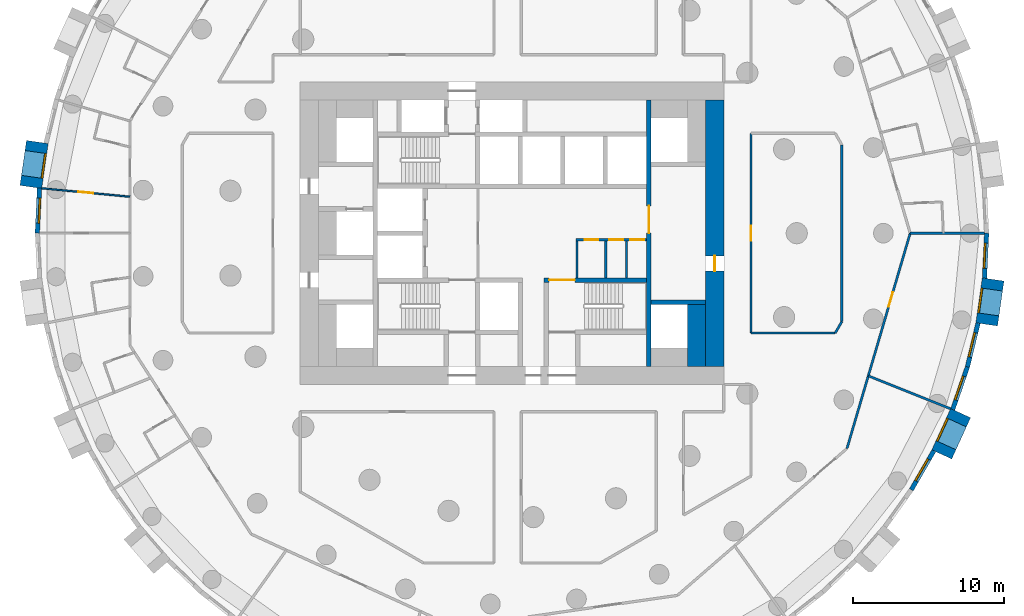
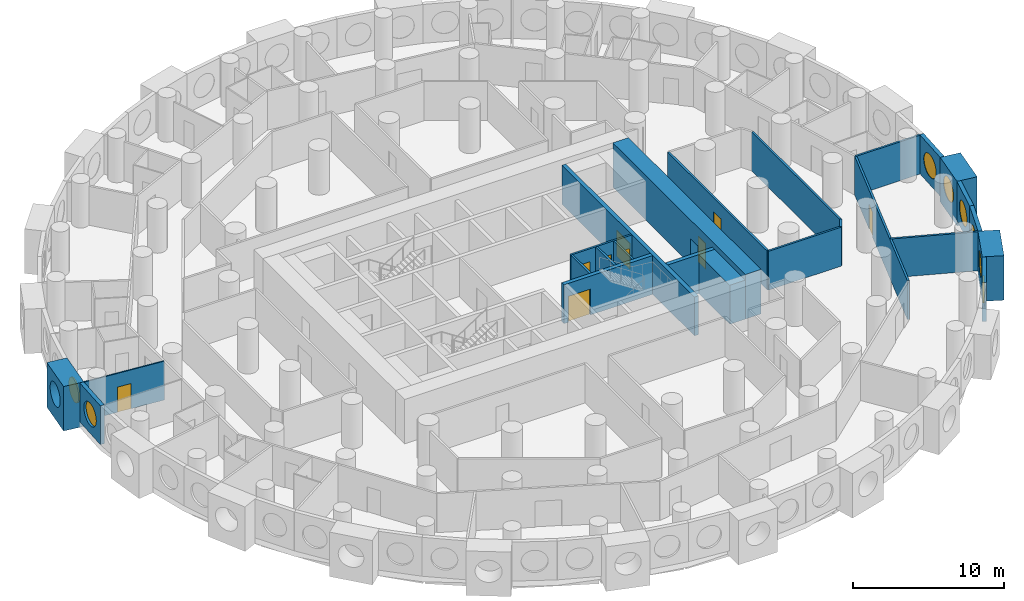
# One storey, part 6 of 12: 25 walls, 9 doors, 8 windows, 17 openings.
"""IFC4 building model written with IfcOpenShell, lengths in metres."""

from ifc_helpers import new_model, si_unit, direction, frame, frame_2d, origin, origin_2d, place, context, subcontext, project, spatial, rectangle, circle, extrude, material, layer, layer_set, type_object, element, fill, save


model = new_model("IFC4")

# Units and contexts
model_context = context("Model", 3, precision=1e-05, world=origin(), true_north=direction((0.0, 1.0)))
body_context = subcontext(model_context, "Body", "Model", "MODEL_VIEW")
ifc_project = project(units=[si_unit("LENGTHUNIT", "METRE"), si_unit("AREAUNIT", "SQUARE_METRE"), si_unit("VOLUMEUNIT", "CUBIC_METRE"), si_unit("PLANEANGLEUNIT", "RADIAN"), si_unit("MASSUNIT", "GRAM", prefix="KILO")], contexts=[model_context])

# Site, building, storey
site_placement = place(None, origin())
site = spatial("IfcSite", under=ifc_project, at=site_placement, CompositionType="ELEMENT")
building_placement = place(site_placement, origin())
building = spatial("IfcBuilding", under=site, at=building_placement, Name="Tracery Tower", CompositionType="ELEMENT")
storey_placement = place(building_placement, frame((0.0, 0.0, 111.0)))
storey = spatial("IfcBuildingStorey", under=building, at=storey_placement, Name="L28", CompositionType="ELEMENT", Elevation=111.0)

# Wall
ifc_material_1 = material(Name="Plasterboard on steel studs", Category="steel")
ifc_layer_1 = layer(ifc_material_1, 0.14990234375)
ifc_layer_set_1 = layer_set([ifc_layer_1], Name="Core room partition 150")
wall_type_1 = type_object("IfcWallType", Name="Core room partition 150", PredefinedType="SOLIDWALL", material=ifc_layer_set_1)
wall_1_placement = place(storey_placement, frame((4.300048828125, -2.949951171875, 0.0), z_axis=(0.0, 0.0, 1.0), x_axis=(0.0, 1.0, 0.0)))
element("IfcWall", 1, at=wall_1_placement, inside=storey, type_object=wall_type_1, Name="L28 slot W", PredefinedType="SOLIDWALL", context=body_context, shape_type="SweptSolid", body=[
    extrude(rectangle(XDim=2.449951171875, YDim=0.14990234375, at=frame_2d((1.22509765625, 0.0))), origin(), (0.0, 0.0, 1.0), 3.14990234375),
])

# Wall, openings, doors
wall_2_placement = place(storey_placement, frame((4.22509765625, -0.425048828125, 0.0), z_axis=(0.0, 0.0, 1.0), x_axis=(1.0, 0.0, 0.0)))
wall_2 = element("IfcWall", 2, at=wall_2_placement, inside=storey, type_object=wall_type_1, Name="L28 slot N", PredefinedType="SOLIDWALL", context=body_context, shape_type="SweptSolid", body=[
    extrude(rectangle(XDim=4.6748046875, YDim=0.14990234375, at=frame_2d((2.33740234375, 0.0))), origin(), (0.0, 0.0, 1.0), 3.14990234375),
])
opening_1_placement = place(wall_2_placement, frame((0.574951171875, 0.0, 0.0)))
opening_1 = element("IfcOpeningElement", 3, at=opening_1_placement, cuts=wall_2, Name="Opening KD22", PredefinedType="OPENING", context=body_context, shape_type="SweptSolid", body=[
    extrude(rectangle(XDim=0.89990234375, YDim=2.10009765625, at=frame_2d((0.449951171875, 1.050048828125))), frame((0.0, 0.074951171875, 0.0), z_axis=(0.0, -1.0, 0.0), x_axis=(1.0, 0.0, 0.0)), (0.0, 0.0, 1.0), 0.14990234375),
])
opening_2_placement = place(wall_2_placement, frame((2.21240234375, 0.0, 0.0)))
opening_2 = element("IfcOpeningElement", 4, at=opening_2_placement, cuts=wall_2, Name="Opening KD31", PredefinedType="OPENING", context=body_context, shape_type="SweptSolid", body=[
    extrude(rectangle(XDim=0.89990234375, YDim=2.10009765625, at=frame_2d((0.449951171875, 1.050048828125))), frame((0.0, 0.074951171875, 0.0), z_axis=(0.0, -1.0, 0.0), x_axis=(1.0, 0.0, 0.0)), (0.0, 0.0, 1.0), 0.14990234375),
])
opening_3_placement = place(wall_2_placement, frame((3.60009765625, 0.0, 0.0)))
opening_3 = element("IfcOpeningElement", 5, at=opening_3_placement, cuts=wall_2, Name="Opening KD27", PredefinedType="OPENING", context=body_context, shape_type="SweptSolid", body=[
    extrude(rectangle(XDim=0.89990234375, YDim=2.10009765625, at=frame_2d((0.449951171875, 1.050048828125))), frame((0.0, 0.074951171875, 0.0), z_axis=(0.0, -1.0, 0.0), x_axis=(1.0, 0.0, 0.0)), (0.0, 0.0, 1.0), 0.14990234375),
])
ifc_material_2 = material(Name="Timber door leaf", Category="wood")
door_type_1 = type_object("IfcDoorType", Name="Core WC door 900", OperationType="NOTDEFINED", PredefinedType="DOOR", material=ifc_material_2)
door_1_placement = place(opening_1_placement, origin())
door_1 = element("IfcDoor", 6, at=door_1_placement, inside=storey, type_object=door_type_1, Name="Core door", OperationType="SINGLE_SWING_RIGHT", OverallHeight=2.10009765625, OverallWidth=0.89990234375, PredefinedType="DOOR", context=body_context, shape_type="SweptSolid", body=[
    extrude(rectangle(XDim=0.89990234375, YDim=2.10009765625, at=frame_2d((0.449951171875, 1.050048828125))), frame((0.0, 0.02490234375, 0.0), z_axis=(0.0, -1.0, 0.0), x_axis=(1.0, 0.0, 0.0)), (0.0, 0.0, 1.0), 0.050048828125),
])
fill(opening_1, door_1)
ifc_material_3 = material(Name="Steel fire door", Category="steel")
door_type_2 = type_object("IfcDoorType", Name="Core riser door 900", OperationType="NOTDEFINED", PredefinedType="DOOR", material=ifc_material_3)
door_2_placement = place(opening_2_placement, origin())
door_2 = element("IfcDoor", 7, at=door_2_placement, inside=storey, type_object=door_type_2, Name="Core door", OperationType="SINGLE_SWING_LEFT", OverallHeight=2.10009765625, OverallWidth=0.89990234375, PredefinedType="DOOR", context=body_context, shape_type="SweptSolid", body=[
    extrude(rectangle(XDim=0.89990234375, YDim=2.10009765625, at=frame_2d((0.449951171875, 1.050048828125))), frame((0.0, 0.02490234375, 0.0), z_axis=(0.0, -1.0, 0.0), x_axis=(1.0, 0.0, 0.0)), (0.0, 0.0, 1.0), 0.050048828125),
])
fill(opening_2, door_2)
ifc_material_4 = material(Name="Timber door leaf", Category="wood")
door_type_3 = type_object("IfcDoorType", Name="Core store door 900", OperationType="NOTDEFINED", PredefinedType="DOOR", material=ifc_material_4)
door_3_placement = place(opening_3_placement, origin())
door_3 = element("IfcDoor", 8, at=door_3_placement, inside=storey, type_object=door_type_3, Name="Core door", OperationType="SINGLE_SWING_RIGHT", OverallHeight=2.10009765625, OverallWidth=0.89990234375, PredefinedType="DOOR", context=body_context, shape_type="SweptSolid", body=[
    extrude(rectangle(XDim=0.89990234375, YDim=2.10009765625, at=frame_2d((0.449951171875, 1.050048828125))), frame((0.0, 0.02490234375, 0.0), z_axis=(0.0, -1.0, 0.0), x_axis=(1.0, 0.0, 0.0)), (0.0, 0.0, 1.0), 0.050048828125),
])
fill(opening_3, door_3)

# Walls
for number, where, z_axis, x_axis, name in (
    (9, (6.199951171875, -2.949951171875, 0.0), (0.0, 0.0, 1.0), (0.0, 1.0, 0.0), "L28 slot sep 1"),
    (10, (7.574951171875, -2.949951171875, 0.0), (0.0, 0.0, 1.0), (0.0, 1.0, 0.0), "L28 slot sep 2"),
):
    element("IfcWall", number, at=place(storey_placement, frame(where, z_axis=z_axis, x_axis=x_axis)), inside=storey, type_object=wall_type_1, Name=name, PredefinedType="SOLIDWALL", context=body_context, shape_type="SweptSolid", body=[
        extrude(rectangle(XDim=2.449951171875, YDim=0.14990234375, at=frame_2d((1.22509765625, 0.0))), origin(), (0.0, 0.0, 1.0), 3.14990234375),
    ])
ifc_material_5 = material(Name="Concrete C60/75", Category="concrete")
ifc_layer_2 = layer(ifc_material_5, 1.199951171875)
ifc_layer_set_2 = layer_set([ifc_layer_2], Name="Core strip wall 1200 C60")
wall_type_2 = type_object("IfcWallType", Name="Core strip wall 1200 C60", PredefinedType="SOLIDWALL", material=ifc_layer_set_2)
wall_3_placement = place(storey_placement, frame((12.199951171875, -8.800048828125, 0.0), z_axis=(0.0, 0.0, 1.0), x_axis=(0.0, 1.0, 0.0)))
element("IfcWall", 11, at=wall_3_placement, inside=storey, type_object=wall_type_2, Name="L28 wing strip +1 -9.4", PredefinedType="SOLIDWALL", context=body_context, shape_type="SweptSolid", body=[
    extrude(rectangle(XDim=4.10009765625, YDim=1.199951171875, at=frame_2d((2.050048828125, 0.0))), origin(), (0.0, 0.0, 1.0), 3.14990234375),
])

# Wall, opening, door
ifc_material_6 = material(Name="Concrete C60/75", Category="concrete")
ifc_layer_3 = layer(ifc_material_6, 1.199951171875)
ifc_layer_set_3 = layer_set([ifc_layer_3], Name="Core wall 1200 C60")
wall_type_3 = type_object("IfcWallType", Name="Core wall 1200 C60", PredefinedType="SOLIDWALL", material=ifc_layer_set_3)
wall_4_placement = place(storey_placement, frame((13.39990234375, -8.800048828125, 0.0), z_axis=(0.0, 0.0, 1.0), x_axis=(0.0, 1.0, 0.0)))
wall_4 = element("IfcWall", 12, at=wall_4_placement, inside=storey, type_object=wall_type_3, Name="L28 outer E", PredefinedType="SOLIDWALL", context=body_context, shape_type="SweptSolid", body=[
    extrude(rectangle(XDim=17.60009765625, YDim=1.199951171875, at=frame_2d((8.800048828125, 0.0))), origin(), (0.0, 0.0, 1.0), 3.60009765625),
])
opening_4_placement = place(wall_4_placement, frame((6.300048828125, 0.0, 0.0)))
opening_4 = element("IfcOpeningElement", 13, at=opening_4_placement, cuts=wall_4, Name="Opening KD18", PredefinedType="OPENING", context=body_context, shape_type="SweptSolid", body=[
    extrude(rectangle(XDim=1.0, YDim=2.10009765625, at=frame_2d((0.5, 1.050048828125))), frame((0.0, 0.60009765625, 0.0), z_axis=(0.0, -1.0, 0.0), x_axis=(1.0, 0.0, 0.0)), (0.0, 0.0, 1.0), 1.199951171875),
])
ifc_material_7 = material(Name="Steel fire door", Category="steel")
door_type_4 = type_object("IfcDoorType", Name="Core exit door 1000", OperationType="NOTDEFINED", PredefinedType="DOOR", material=ifc_material_7)
door_4_placement = place(opening_4_placement, origin())
door_4 = element("IfcDoor", 14, at=door_4_placement, inside=storey, type_object=door_type_4, Name="Core exit door", OperationType="DOUBLE_DOOR_SINGLE_SWING", OverallHeight=2.10009765625, OverallWidth=1.0, PredefinedType="DOOR", context=body_context, shape_type="SweptSolid", body=[
    extrude(rectangle(XDim=1.0, YDim=2.10009765625, at=frame_2d((0.5, 1.050048828125))), frame((0.0, 0.02490234375, 0.0), z_axis=(0.0, -1.0, 0.0), x_axis=(1.0, 0.0, 0.0)), (0.0, 0.0, 1.0), 0.050048828125),
])
fill(opening_4, door_4)

# Wall, opening, window
ifc_material_8 = material(Name="Precast concrete C50/60", Category="concrete")
ifc_layer_4 = layer(ifc_material_8, 1.449951171875)
ifc_layer_set_4 = layer_set([ifc_layer_4], Name="Deep-set bay unit 3000 x 3600, slab edge 450")
wall_type_4 = type_object("IfcWallType", Name="Deep-set bay unit 3000 x 3600, slab edge 450", PredefinedType="ELEMENTEDWALL", material=ifc_layer_set_4)
wall_5_placement = place(storey_placement, frame((-31.37548828125, 6.026611328125, -0.449951171875), z_axis=(0.0, 0.0, 1.0), x_axis=(-0.142332746704, -0.989818866872, 0.0)))
wall_5 = element("IfcWall", 15, at=wall_5_placement, inside=storey, type_object=wall_type_4, Name="Deep-set bay unit 32 at L28", PredefinedType="ELEMENTEDWALL", context=body_context, shape_type="SweptSolid", body=[
    extrude(rectangle(XDim=3.0, YDim=1.449951171875, at=frame_2d((1.5, 0.0))), origin(), (0.0, 0.0, 1.0), 3.599853515625),
])
opening_5_placement = place(wall_5_placement, frame((1.5, 0.0, 2.0)))
opening_5 = element("IfcOpeningElement", 16, at=opening_5_placement, cuts=wall_5, Name="Opening WN1", PredefinedType="OPENING", context=body_context, shape_type="SweptSolid", body=[
    extrude(circle(Radius=0.9000244140625, at=origin_2d()), frame((0.0, 0.73486328125, 0.0), z_axis=(0.0, -1.0, 0.0), x_axis=(1.0, 0.0, 0.0)), (0.0, 0.0, 1.0), 1.469970703125),
])
ifc_material_9 = material(Name="Aluminium frame with tinted double glazing", Category="aluminium")
window_type = type_object("IfcWindowType", Name="Round window 1800", PartitioningType="SINGLE_PANEL", PredefinedType="WINDOW", material=ifc_material_9)
window_1_placement = place(opening_5_placement, origin())
window_1 = element("IfcWindow", 17, at=window_1_placement, inside=storey, type_object=window_type, Name="Round window 32 at L28", OverallHeight=1.800048828125, OverallWidth=1.800048828125, PartitioningType="SINGLE_PANEL", PredefinedType="WINDOW", context=body_context, shape_type="SweptSolid", body=[
    extrude(circle(Radius=0.9000244140625, at=origin_2d()), frame((0.0, 0.69482421875, 0.0), z_axis=(0.0, -1.0, 0.0), x_axis=(1.0, 0.0, 0.0)), (0.0, 0.0, 1.0), 0.10009765625),
])
fill(opening_5, window_1)

wall_6_placement = place(storey_placement, frame((28.40673828125, -14.6220703125, -0.449951171875), z_axis=(0.0, 0.0, 1.0), x_axis=(0.415427028395, 0.909626508012, 0.0)))
wall_6 = element("IfcWall", 18, at=wall_6_placement, inside=storey, type_object=wall_type_4, Name="Deep-set bay unit 62 at L28", PredefinedType="ELEMENTEDWALL", context=body_context, shape_type="SweptSolid", body=[
    extrude(rectangle(XDim=3.000244140625, YDim=1.449951171875, at=frame_2d((1.5, 0.0))), origin(), (0.0, 0.0, 1.0), 3.599853515625),
])
opening_6_placement = place(wall_6_placement, frame((1.5, 0.0, 2.0)))
opening_6 = element("IfcOpeningElement", 19, at=opening_6_placement, cuts=wall_6, Name="Opening WN1", PredefinedType="OPENING", context=body_context, shape_type="SweptSolid", body=[
    extrude(circle(Radius=0.9000244140625, at=origin_2d()), frame((0.0, 0.73486328125, 0.0), z_axis=(0.0, -1.0, 0.0), x_axis=(1.0, 0.0, 0.0)), (0.0, 0.0, 1.0), 1.469970703125),
])
window_2_placement = place(opening_6_placement, origin())
window_2 = element("IfcWindow", 20, at=window_2_placement, inside=storey, type_object=window_type, Name="Round window 62 at L28", OverallHeight=1.800048828125, OverallWidth=1.800048828125, PartitioningType="SINGLE_PANEL", PredefinedType="WINDOW", context=body_context, shape_type="SweptSolid", body=[
    extrude(circle(Radius=0.9000244140625, at=origin_2d()), frame((0.0, 0.69482421875, 0.0), z_axis=(0.0, -1.0, 0.0), x_axis=(1.0, 0.0, 0.0)), (0.0, 0.0, 1.0), 0.10009765625),
])
fill(opening_6, window_2)

wall_7_placement = place(storey_placement, frame((31.37548828125, -6.026611328125, -0.449951171875), z_axis=(0.0, 0.0, 1.0), x_axis=(0.142332746704, 0.989818866872, 0.0)))
wall_7 = element("IfcWall", 21, at=wall_7_placement, inside=storey, type_object=wall_type_4, Name="Deep-set bay unit 65 at L28", PredefinedType="ELEMENTEDWALL", context=body_context, shape_type="SweptSolid", body=[
    extrude(rectangle(XDim=3.0, YDim=1.449951171875, at=frame_2d((1.5, 0.0))), origin(), (0.0, 0.0, 1.0), 3.599853515625),
])
opening_7_placement = place(wall_7_placement, frame((1.5, 0.0, 2.0)))
opening_7 = element("IfcOpeningElement", 22, at=opening_7_placement, cuts=wall_7, Name="Opening WN1", PredefinedType="OPENING", context=body_context, shape_type="SweptSolid", body=[
    extrude(circle(Radius=0.9000244140625, at=origin_2d()), frame((0.0, 0.73486328125, 0.0), z_axis=(0.0, -1.0, 0.0), x_axis=(1.0, 0.0, 0.0)), (0.0, 0.0, 1.0), 1.469970703125),
])
window_3_placement = place(opening_7_placement, origin())
window_3 = element("IfcWindow", 23, at=window_3_placement, inside=storey, type_object=window_type, Name="Round window 65 at L28", OverallHeight=1.800048828125, OverallWidth=1.800048828125, PartitioningType="SINGLE_PANEL", PredefinedType="WINDOW", context=body_context, shape_type="SweptSolid", body=[
    extrude(circle(Radius=0.9000244140625, at=origin_2d()), frame((0.0, 0.69482421875, 0.0), z_axis=(0.0, -1.0, 0.0), x_axis=(1.0, 0.0, 0.0)), (0.0, 0.0, 1.0), 0.10009765625),
])
fill(opening_7, window_3)

ifc_material_10 = material(Name="Precast concrete C50/60", Category="concrete")
ifc_layer_5 = layer(ifc_material_10, 0.300048828125)
ifc_layer_set_5 = layer_set([ifc_layer_5], Name="Facade panel 3000 x 3150")
wall_type_5 = type_object("IfcWallType", Name="Facade panel 3000 x 3150", PredefinedType="SOLIDWALL", material=ifc_layer_set_5)
wall_8_placement = place(storey_placement, frame((-31.232666015625, 2.976318359375, 0.0), z_axis=(0.0, 0.0, 1.0), x_axis=(-0.047604077644, -0.998866283239, 0.0)))
wall_8 = element("IfcWall", 24, at=wall_8_placement, inside=storey, type_object=wall_type_5, Name="Facade panel 33 at L28", PredefinedType="SOLIDWALL", context=body_context, shape_type="SweptSolid", body=[
    extrude(rectangle(XDim=2.979736328125, YDim=0.300048828125, at=frame_2d((1.48974609375, 0.0))), origin(), (0.0, 0.0, 1.0), 3.14990234375),
])
opening_8_placement = place(wall_8_placement, frame((1.48974609375, 0.0, 1.5498046875)))
opening_8 = element("IfcOpeningElement", 25, at=opening_8_placement, cuts=wall_8, Name="Opening WN1", PredefinedType="OPENING", context=body_context, shape_type="SweptSolid", body=[
    extrude(circle(Radius=0.9000244140625, at=origin_2d()), frame((0.0, 0.159912109375, 0.0), z_axis=(0.0, -1.0, 0.0), x_axis=(1.0, 0.0, 0.0)), (0.0, 0.0, 1.0), 0.320068359375),
])
window_4_placement = place(opening_8_placement, origin())
window_4 = element("IfcWindow", 26, at=window_4_placement, inside=storey, type_object=window_type, Name="Round window 33 at L28", OverallHeight=1.800048828125, OverallWidth=1.800048828125, PartitioningType="SINGLE_PANEL", PredefinedType="WINDOW", context=body_context, shape_type="SweptSolid", body=[
    extrude(circle(Radius=0.9000244140625, at=origin_2d()), frame((0.0, 0.1201171875, 0.0), z_axis=(0.0, -1.0, 0.0), x_axis=(1.0, 0.0, 0.0)), (0.0, 0.0, 1.0), 0.10009765625),
])
fill(opening_8, window_4)

wall_9_placement = place(storey_placement, frame((26.393798828125, -16.96240234375, 0.0), z_axis=(0.0, 0.0, 1.0), x_axis=(0.500025049464, 0.866010940986, 0.0)))
wall_9 = element("IfcWall", 27, at=wall_9_placement, inside=storey, type_object=wall_type_5, Name="Facade panel 61 at L28", PredefinedType="SOLIDWALL", context=body_context, shape_type="SweptSolid", body=[
    extrude(rectangle(XDim=2.979736328125, YDim=0.300048828125, at=frame_2d((1.48974609375, 0.0))), origin(), (0.0, 0.0, 1.0), 3.14990234375),
])
opening_9_placement = place(wall_9_placement, frame((1.48974609375, 0.0, 1.5498046875)))
opening_9 = element("IfcOpeningElement", 28, at=opening_9_placement, cuts=wall_9, Name="Opening WN1", PredefinedType="OPENING", context=body_context, shape_type="SweptSolid", body=[
    extrude(circle(Radius=0.9000244140625, at=origin_2d()), frame((0.0, 0.159912109375, 0.0), z_axis=(0.0, -1.0, 0.0), x_axis=(1.0, 0.0, 0.0)), (0.0, 0.0, 1.0), 0.320068359375),
])
window_5_placement = place(opening_9_placement, origin())
window_5 = element("IfcWindow", 29, at=window_5_placement, inside=storey, type_object=window_type, Name="Round window 61 at L28", OverallHeight=1.800048828125, OverallWidth=1.800048828125, PartitioningType="SINGLE_PANEL", PredefinedType="WINDOW", context=body_context, shape_type="SweptSolid", body=[
    extrude(circle(Radius=0.9000244140625, at=origin_2d()), frame((0.0, 0.1201171875, 0.0), z_axis=(0.0, -1.0, 0.0), x_axis=(1.0, 0.0, 0.0)), (0.0, 0.0, 1.0), 0.10009765625),
])
fill(opening_9, window_5)

wall_10_placement = place(storey_placement, frame((29.12890625, -11.655029296875, 0.0), z_axis=(0.0, 0.0, 1.0), x_axis=(0.327071167136, 0.944999709856, 0.0)))
wall_10 = element("IfcWall", 30, at=wall_10_placement, inside=storey, type_object=wall_type_5, Name="Facade panel 63 at L28", PredefinedType="SOLIDWALL", context=body_context, shape_type="SweptSolid", body=[
    extrude(rectangle(XDim=2.979736328125, YDim=0.300048828125, at=frame_2d((1.48974609375, 0.0))), origin(), (0.0, 0.0, 1.0), 3.14990234375),
])
opening_10_placement = place(wall_10_placement, frame((1.48974609375, 0.0, 1.5498046875)))
opening_10 = element("IfcOpeningElement", 31, at=opening_10_placement, cuts=wall_10, Name="Opening WN1", PredefinedType="OPENING", context=body_context, shape_type="SweptSolid", body=[
    extrude(circle(Radius=0.9000244140625, at=origin_2d()), frame((0.0, 0.159912109375, 0.0), z_axis=(0.0, -1.0, 0.0), x_axis=(1.0, 0.0, 0.0)), (0.0, 0.0, 1.0), 0.320068359375),
])
window_6_placement = place(opening_10_placement, origin())
window_6 = element("IfcWindow", 32, at=window_6_placement, inside=storey, type_object=window_type, Name="Round window 63 at L28", OverallHeight=1.800048828125, OverallWidth=1.800048828125, PartitioningType="SINGLE_PANEL", PredefinedType="WINDOW", context=body_context, shape_type="SweptSolid", body=[
    extrude(circle(Radius=0.9000244140625, at=origin_2d()), frame((0.0, 0.1201171875, 0.0), z_axis=(0.0, -1.0, 0.0), x_axis=(1.0, 0.0, 0.0)), (0.0, 0.0, 1.0), 0.10009765625),
])
fill(opening_10, window_6)

wall_11_placement = place(storey_placement, frame((30.103515625, -8.839111328125, 0.0), z_axis=(0.0, 0.0, 1.0), x_axis=(0.235743081534, 0.971815414319, 0.0)))
wall_11 = element("IfcWall", 33, at=wall_11_placement, inside=storey, type_object=wall_type_5, Name="Facade panel 64 at L28", PredefinedType="SOLIDWALL", context=body_context, shape_type="SweptSolid", body=[
    extrude(rectangle(XDim=2.9794921875, YDim=0.300048828125, at=frame_2d((1.48974609375, 0.0))), origin(), (0.0, 0.0, 1.0), 3.14990234375),
])
opening_11_placement = place(wall_11_placement, frame((1.48974609375, 0.0, 1.5498046875)))
opening_11 = element("IfcOpeningElement", 34, at=opening_11_placement, cuts=wall_11, Name="Opening WN1", PredefinedType="OPENING", context=body_context, shape_type="SweptSolid", body=[
    extrude(circle(Radius=0.9000244140625, at=origin_2d()), frame((0.0, 0.159912109375, 0.0), z_axis=(0.0, -1.0, 0.0), x_axis=(1.0, 0.0, 0.0)), (0.0, 0.0, 1.0), 0.320068359375),
])
window_7_placement = place(opening_11_placement, origin())
window_7 = element("IfcWindow", 35, at=window_7_placement, inside=storey, type_object=window_type, Name="Round window 64 at L28", OverallHeight=1.800048828125, OverallWidth=1.800048828125, PartitioningType="SINGLE_PANEL", PredefinedType="WINDOW", context=body_context, shape_type="SweptSolid", body=[
    extrude(circle(Radius=0.9000244140625, at=origin_2d()), frame((0.0, 0.1201171875, 0.0), z_axis=(0.0, -1.0, 0.0), x_axis=(1.0, 0.0, 0.0)), (0.0, 0.0, 1.0), 0.10009765625),
])
fill(opening_11, window_7)

wall_12_placement = place(storey_placement, frame((31.232666015625, -2.976318359375, 0.0), z_axis=(0.0, 0.0, 1.0), x_axis=(0.047604077644, 0.998866283239, 0.0)))
wall_12 = element("IfcWall", 36, at=wall_12_placement, inside=storey, type_object=wall_type_5, Name="Facade panel 66 at L28", PredefinedType="SOLIDWALL", context=body_context, shape_type="SweptSolid", body=[
    extrude(rectangle(XDim=2.979736328125, YDim=0.300048828125, at=frame_2d((1.48974609375, 0.0))), origin(), (0.0, 0.0, 1.0), 3.14990234375),
])
opening_12_placement = place(wall_12_placement, frame((1.48974609375, 0.0, 1.5498046875)))
opening_12 = element("IfcOpeningElement", 37, at=opening_12_placement, cuts=wall_12, Name="Opening WN1", PredefinedType="OPENING", context=body_context, shape_type="SweptSolid", body=[
    extrude(circle(Radius=0.9000244140625, at=origin_2d()), frame((0.0, 0.159912109375, 0.0), z_axis=(0.0, -1.0, 0.0), x_axis=(1.0, 0.0, 0.0)), (0.0, 0.0, 1.0), 0.320068359375),
])
window_8_placement = place(opening_12_placement, origin())
window_8 = element("IfcWindow", 38, at=window_8_placement, inside=storey, type_object=window_type, Name="Round window 66 at L28", OverallHeight=1.800048828125, OverallWidth=1.800048828125, PartitioningType="SINGLE_PANEL", PredefinedType="WINDOW", context=body_context, shape_type="SweptSolid", body=[
    extrude(circle(Radius=0.9000244140625, at=origin_2d()), frame((0.0, 0.1201171875, 0.0), z_axis=(0.0, -1.0, 0.0), x_axis=(1.0, 0.0, 0.0)), (0.0, 0.0, 1.0), 0.10009765625),
])
fill(opening_12, window_8)

# Wall, opening, door
ifc_material_11 = material(Name="Plasterboard on steel studs", Category="steel")
ifc_layer_6 = layer(ifc_material_11, 0.10009765625)
ifc_layer_set_6 = layer_set([ifc_layer_6], Name="Partition 100 stud")
wall_type_6 = type_object("IfcWallType", Name="Partition 100 stud", PredefinedType="PARTITIONING", material=ifc_layer_set_6)
wall_13_placement = place(storey_placement, frame((-31.0830078125, 2.968017578125, 0.0), z_axis=(0.0, 0.0, 1.0), x_axis=(0.995465070325, -0.095127775983, 0.0)))
wall_13 = element("IfcWall", 39, at=wall_13_placement, inside=storey, type_object=wall_type_6, Name="Stud partition RA8-095", PredefinedType="PARTITIONING", context=body_context, shape_type="SweptSolid", body=[
    extrude(rectangle(XDim=5.856689453125, YDim=0.10009765625, at=frame_2d((2.92822265625, 0.0))), origin(), (0.0, 0.0, 1.0), 3.14990234375),
])
opening_13_placement = place(wall_13_placement, frame((2.428466796875, 0.0, 0.0)))
opening_13 = element("IfcOpeningElement", 40, at=opening_13_placement, cuts=wall_13, Name="Opening RA8-34", PredefinedType="OPENING", context=body_context, shape_type="SweptSolid", body=[
    extrude(rectangle(XDim=1.0, YDim=2.0400390625, at=frame_2d((0.5, 1.02001953125))), frame((0.0, 0.050048828125, 0.0), z_axis=(0.0, -1.0, 0.0), x_axis=(1.0, 0.0, 0.0)), (0.0, 0.0, 1.0), 0.10009765625),
])
ifc_material_12 = material(Name="Timber door leaf", Category="wood")
door_type_5 = type_object("IfcDoorType", Name="Door communal room 1000", OperationType="NOTDEFINED", PredefinedType="DOOR", material=ifc_material_12)
door_5_placement = place(opening_13_placement, origin())
door_5 = element("IfcDoor", 41, at=door_5_placement, inside=storey, type_object=door_type_5, Name="Communal room door RA8-34", OperationType="SINGLE_SWING_LEFT", OverallHeight=2.0400390625, OverallWidth=1.0, PredefinedType="DOOR", context=body_context, shape_type="SweptSolid", body=[
    extrude(rectangle(XDim=1.0, YDim=2.0400390625, at=frame_2d((0.5, 1.02001953125))), frame((0.0, 0.02490234375, 0.0), z_axis=(0.0, -1.0, 0.0), x_axis=(1.0, 0.0, 0.0)), (0.0, 0.0, 1.0), 0.050048828125),
])
fill(opening_13, door_5)

# Walls
ifc_material_13 = material(Name="Plasterboard on steel studs", Category="steel")
ifc_layer_7 = layer(ifc_material_13, 0.14990234375)
ifc_layer_set_7 = layer_set([ifc_layer_7], Name="Partition 150 acoustic unit wall")
wall_type_7 = type_object("IfcWallType", Name="Partition 150 acoustic unit wall", PredefinedType="PARTITIONING", material=ifc_layer_set_7)
wall_14_placement = place(storey_placement, frame((26.319091796875, 0.0, 0.0), z_axis=(0.0, 0.0, 1.0), x_axis=(1.0, 0.0, 0.0)))
element("IfcWall", 42, at=wall_14_placement, inside=storey, type_object=wall_type_7, Name="Unit wall RA8-063", PredefinedType="PARTITIONING", context=body_context, shape_type="SweptSolid", body=[
    extrude(rectangle(XDim=4.905029296875, YDim=0.14990234375, at=frame_2d((2.45263671875, 0.0))), origin(), (0.0, 0.0, 1.0), 3.14990234375),
])
wall_15_placement = place(storey_placement, frame((23.550048828125, -9.427978515625, 0.0), z_axis=(0.0, 0.0, 1.0), x_axis=(0.9283702981, -0.371656547911, 0.0)))
element("IfcWall", 43, at=wall_15_placement, inside=storey, type_object=wall_type_7, Name="Unit wall RA8-116", PredefinedType="PARTITIONING", context=body_context, shape_type="SweptSolid", body=[
    extrude(rectangle(XDim=5.857666015625, YDim=0.14990234375, at=frame_2d((2.9287109375, 0.0))), origin(), (0.0, 0.0, 1.0), 3.14990234375),
])

# Wall, opening, door
ifc_material_14 = material(Name="Plasterboard on steel studs", Category="steel")
ifc_layer_8 = layer(ifc_material_14, 0.14990234375)
ifc_layer_set_8 = layer_set([ifc_layer_8], Name="Partition 150 corridor wall")
wall_type_8 = type_object("IfcWallType", Name="Partition 150 corridor wall", PredefinedType="PARTITIONING", material=ifc_layer_set_8)
wall_16_placement = place(storey_placement, frame((15.800048828125, -6.60400390625, 0.0), z_axis=(0.0, 0.0, 1.0), x_axis=(0.0, 1.0, 0.0)))
wall_16 = element("IfcWall", 44, at=wall_16_placement, inside=storey, type_object=wall_type_8, Name="Corridor wall RA8-012", PredefinedType="PARTITIONING", context=body_context, shape_type="SweptSolid", body=[
    extrude(rectangle(XDim=13.2080078125, YDim=0.14990234375, at=frame_2d((6.60400390625, 0.0))), origin(), (0.0, 0.0, 1.0), 3.14990234375),
])
opening_14_placement = place(wall_16_placement, frame((6.10400390625, 0.0, 0.0)))
opening_14 = element("IfcOpeningElement", 45, at=opening_14_placement, cuts=wall_16, Name="Opening RA8-07", PredefinedType="OPENING", context=body_context, shape_type="SweptSolid", body=[
    extrude(rectangle(XDim=1.0, YDim=2.0400390625, at=frame_2d((0.5, 1.02001953125))), frame((0.0, 0.074951171875, 0.0), z_axis=(0.0, -1.0, 0.0), x_axis=(1.0, 0.0, 0.0)), (0.0, 0.0, 1.0), 0.14990234375),
])
door_6_placement = place(opening_14_placement, origin())
door_6 = element("IfcDoor", 46, at=door_6_placement, inside=storey, type_object=door_type_5, Name="Communal room door RA8-07", OperationType="SINGLE_SWING_RIGHT", OverallHeight=2.0400390625, OverallWidth=1.0, PredefinedType="DOOR", context=body_context, shape_type="SweptSolid", body=[
    extrude(rectangle(XDim=1.0, YDim=2.0400390625, at=frame_2d((0.5, 1.02001953125))), frame((0.0, 0.02490234375, 0.0), z_axis=(0.0, -1.0, 0.0), x_axis=(1.0, 0.0, 0.0)), (0.0, 0.0, 1.0), 0.050048828125),
])
fill(opening_14, door_6)

# Walls
wall_17_placement = place(storey_placement, frame((15.800048828125, -6.60009765625, 0.0), z_axis=(0.0, 0.0, 1.0), x_axis=(1.0, 0.0, 0.0)))
element("IfcWall", 47, at=wall_17_placement, inside=storey, type_object=wall_type_8, Name="Corridor wall RA8-016", PredefinedType="PARTITIONING", context=body_context, shape_type="SweptSolid", body=[
    extrude(rectangle(XDim=5.56396484375, YDim=0.14990234375, at=frame_2d((2.781982421875, 0.0))), origin(), (0.0, 0.0, 1.0), 3.14990234375),
])
wall_18_placement = place(storey_placement, frame((21.364013671875, -6.60009765625, 0.0), z_axis=(0.0, 0.0, 1.0), x_axis=(0.500277597875, 0.865865073245, 0.0)))
element("IfcWall", 48, at=wall_18_placement, inside=storey, type_object=wall_type_8, Name="Corridor wall RA8-017", PredefinedType="PARTITIONING", context=body_context, shape_type="SweptSolid", body=[
    extrude(rectangle(XDim=0.87548828125, YDim=0.14990234375, at=frame_2d((0.437744140625, 0.0))), origin(), (0.0, 0.0, 1.0), 3.14990234375),
])
wall_19_placement = place(storey_placement, frame((21.802001953125, -5.842041015625, 0.0), z_axis=(0.0, 0.0, 1.0), x_axis=(0.0, 1.0, 0.0)))
element("IfcWall", 49, at=wall_19_placement, inside=storey, type_object=wall_type_8, Name="Corridor wall RA8-018", PredefinedType="PARTITIONING", context=body_context, shape_type="SweptSolid", body=[
    extrude(rectangle(XDim=11.68408203125, YDim=0.14990234375, at=frame_2d((5.842041015625, 0.0))), origin(), (0.0, 0.0, 1.0), 3.14990234375),
])

# Wall, opening, door
wall_20_placement = place(storey_placement, frame((22.14111328125, -14.22900390625, 0.0), z_axis=(0.0, 0.0, 1.0), x_axis=(0.281745602308, 0.959489143024, 0.0)))
wall_20 = element("IfcWall", 50, at=wall_20_placement, inside=storey, type_object=wall_type_8, Name="Corridor wall RA8-023", PredefinedType="PARTITIONING", context=body_context, shape_type="SweptSolid", body=[
    extrude(rectangle(XDim=14.829833984375, YDim=0.14990234375, at=frame_2d((7.4150390625, 0.0))), origin(), (0.0, 0.0, 1.0), 3.14990234375),
])
opening_15_placement = place(wall_20_placement, frame((9.7646484375, 0.0, 0.0)))
opening_15 = element("IfcOpeningElement", 51, at=opening_15_placement, cuts=wall_20, Name="Opening RA8-49", PredefinedType="OPENING", context=body_context, shape_type="SweptSolid", body=[
    extrude(rectangle(XDim=1.0, YDim=2.0400390625, at=frame_2d((0.5, 1.02001953125))), frame((0.0, 0.074951171875, 0.0), z_axis=(0.0, -1.0, 0.0), x_axis=(1.0, 0.0, 0.0)), (0.0, 0.0, 1.0), 0.14990234375),
])
door_7_placement = place(opening_15_placement, origin())
door_7 = element("IfcDoor", 52, at=door_7_placement, inside=storey, type_object=door_type_5, Name="Communal room door RA8-49", OperationType="SINGLE_SWING_LEFT", OverallHeight=2.0400390625, OverallWidth=1.0, PredefinedType="DOOR", context=body_context, shape_type="SweptSolid", body=[
    extrude(rectangle(XDim=1.0, YDim=2.0400390625, at=frame_2d((0.5, 1.02001953125))), frame((0.0, 0.02490234375, 0.0), z_axis=(0.0, -1.0, 0.0), x_axis=(1.0, 0.0, 0.0)), (0.0, 0.0, 1.0), 0.050048828125),
])
fill(opening_15, door_7)

# Wall
ifc_material_15 = material(Name="Concrete C60/75", Category="concrete")
ifc_layer_9 = layer(ifc_material_15, 0.300048828125)
ifc_layer_set_9 = layer_set([ifc_layer_9], Name="Shaft wall 300 C60")
wall_type_9 = type_object("IfcWallType", Name="Shaft wall 300 C60", PredefinedType="SOLIDWALL", material=ifc_layer_set_9)
wall_21_placement = place(storey_placement, frame((9.199951171875, -4.550048828125, 0.0), z_axis=(0.0, 0.0, 1.0), x_axis=(1.0, 0.0, 0.0)))
element("IfcWall", 53, at=wall_21_placement, inside=storey, type_object=wall_type_9, Name="L28 wing shaft wall +1 -4.55", PredefinedType="SOLIDWALL", context=body_context, shape_type="SweptSolid", body=[
    extrude(rectangle(XDim=3.60009765625, YDim=0.300048828125, at=frame_2d((1.800048828125, 0.0))), origin(), (0.0, 0.0, 1.0), 3.14990234375),
])

# Wall, opening, door
ifc_material_16 = material(Name="Concrete C60/75", Category="concrete")
ifc_layer_10 = layer(ifc_material_16, 0.300048828125)
ifc_layer_set_10 = layer_set([ifc_layer_10], Name="Stair wall 300 C60")
wall_type_10 = type_object("IfcWallType", Name="Stair wall 300 C60", PredefinedType="SOLIDWALL", material=ifc_layer_set_10)
wall_22_placement = place(storey_placement, frame((2.10009765625, -3.10009765625, 0.0), z_axis=(0.0, 0.0, 1.0), x_axis=(1.0, 0.0, 0.0)))
wall_22 = element("IfcWall", 54, at=wall_22_placement, inside=storey, type_object=wall_type_10, Name="L28 row S E", PredefinedType="SOLIDWALL", context=body_context, shape_type="SweptSolid", body=[
    extrude(rectangle(XDim=6.7998046875, YDim=0.300048828125, at=frame_2d((3.39990234375, 0.0))), origin(), (0.0, 0.0, 1.0), 3.14990234375),
])
opening_16_placement = place(wall_22_placement, frame((0.35009765625, 0.0, 0.0)))
opening_16 = element("IfcOpeningElement", 55, at=opening_16_placement, cuts=wall_22, Name="Opening KD3", PredefinedType="OPENING", context=body_context, shape_type="SweptSolid", body=[
    extrude(rectangle(XDim=1.699951171875, YDim=2.10009765625, at=frame_2d((0.85009765625, 1.050048828125))), frame((0.0, 0.14990234375, 0.0), z_axis=(0.0, -1.0, 0.0), x_axis=(1.0, 0.0, 0.0)), (0.0, 0.0, 1.0), 0.300048828125),
])
ifc_material_17 = material(Name="Steel fire door", Category="steel")
door_type_6 = type_object("IfcDoorType", Name="Core stair door 1700 double", OperationType="NOTDEFINED", PredefinedType="DOOR", material=ifc_material_17)
door_8_placement = place(opening_16_placement, origin())
door_8 = element("IfcDoor", 56, at=door_8_placement, inside=storey, type_object=door_type_6, Name="Stair door ST2", OperationType="DOUBLE_DOOR_SINGLE_SWING", OverallHeight=2.10009765625, OverallWidth=1.699951171875, PredefinedType="DOOR", context=body_context, shape_type="SweptSolid", body=[
    extrude(rectangle(XDim=1.699951171875, YDim=2.10009765625, at=frame_2d((0.85009765625, 1.050048828125))), frame((0.0, 0.02490234375, 0.0), z_axis=(0.0, -1.0, 0.0), x_axis=(1.0, 0.0, 0.0)), (0.0, 0.0, 1.0), 0.050048828125),
])
fill(opening_16, door_8)

wall_23_placement = place(storey_placement, frame((9.050048828125, -8.800048828125, 0.0), z_axis=(0.0, 0.0, 1.0), x_axis=(0.0, 1.0, 0.0)))
wall_23 = element("IfcWall", 57, at=wall_23_placement, inside=storey, type_object=wall_type_10, Name="L28 F wall +9", PredefinedType="SOLIDWALL", context=body_context, shape_type="SweptSolid", body=[
    extrude(rectangle(XDim=17.60009765625, YDim=0.300048828125, at=frame_2d((8.800048828125, 0.0))), origin(), (0.0, 0.0, 1.0), 3.14990234375),
])
opening_17_placement = place(wall_23_placement, frame((8.800048828125, 0.0, 0.0)))
opening_17 = element("IfcOpeningElement", 58, at=opening_17_placement, cuts=wall_23, Name="Opening KD13", PredefinedType="OPENING", context=body_context, shape_type="SweptSolid", body=[
    extrude(rectangle(XDim=1.800048828125, YDim=2.10009765625, at=frame_2d((0.89990234375, 1.050048828125))), frame((0.0, 0.14990234375, 0.0), z_axis=(0.0, -1.0, 0.0), x_axis=(1.0, 0.0, 0.0)), (0.0, 0.0, 1.0), 0.300048828125),
])
ifc_material_18 = material(Name="Steel fire door", Category="steel")
door_type_7 = type_object("IfcDoorType", Name="Core exit door 1800 double", OperationType="NOTDEFINED", PredefinedType="DOOR", material=ifc_material_18)
door_9_placement = place(opening_17_placement, origin())
door_9 = element("IfcDoor", 59, at=door_9_placement, inside=storey, type_object=door_type_7, Name="Core exit door", OperationType="DOUBLE_DOOR_SINGLE_SWING", OverallHeight=2.10009765625, OverallWidth=1.800048828125, PredefinedType="DOOR", context=body_context, shape_type="SweptSolid", body=[
    extrude(rectangle(XDim=1.800048828125, YDim=2.10009765625, at=frame_2d((0.89990234375, 1.050048828125))), frame((0.0, 0.02490234375, 0.0), z_axis=(0.0, -1.0, 0.0), x_axis=(1.0, 0.0, 0.0)), (0.0, 0.0, 1.0), 0.050048828125),
])
fill(opening_17, door_9)

save(model, "model.ifc")
